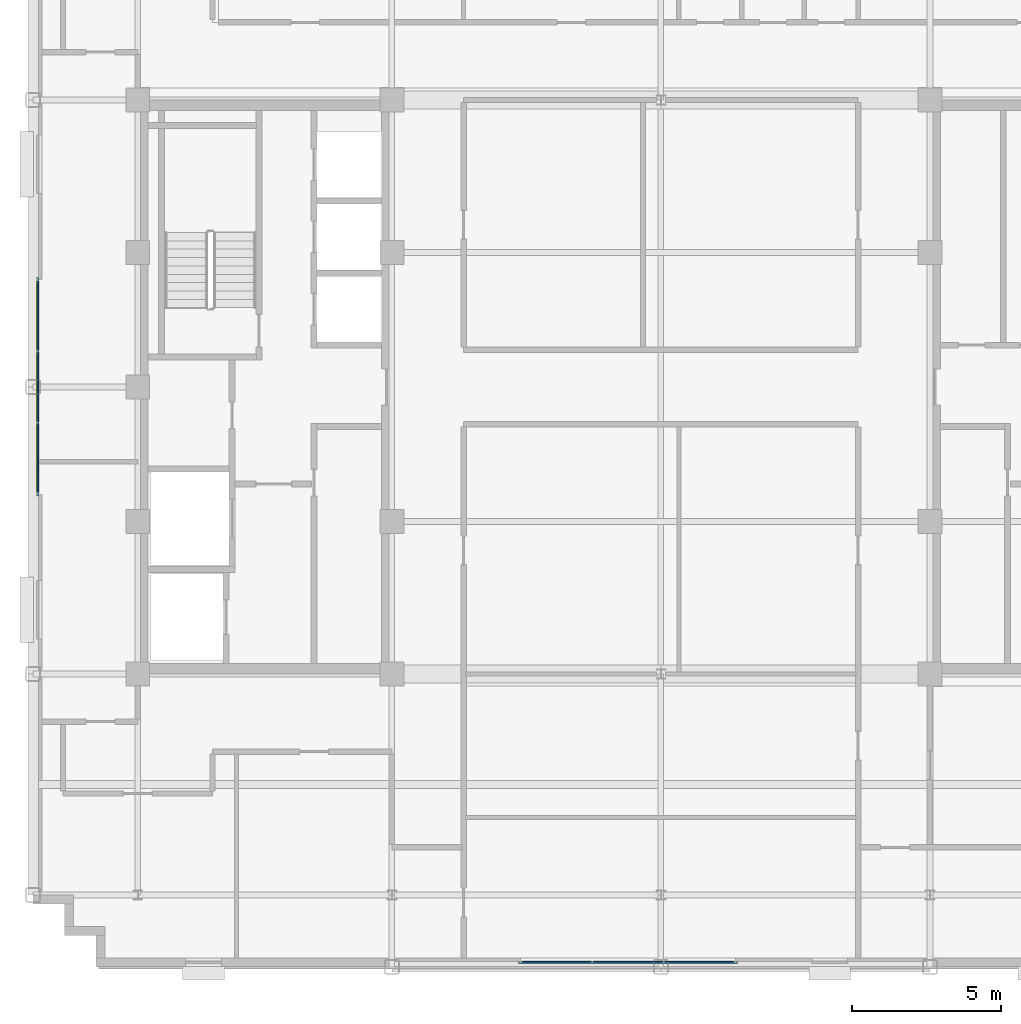
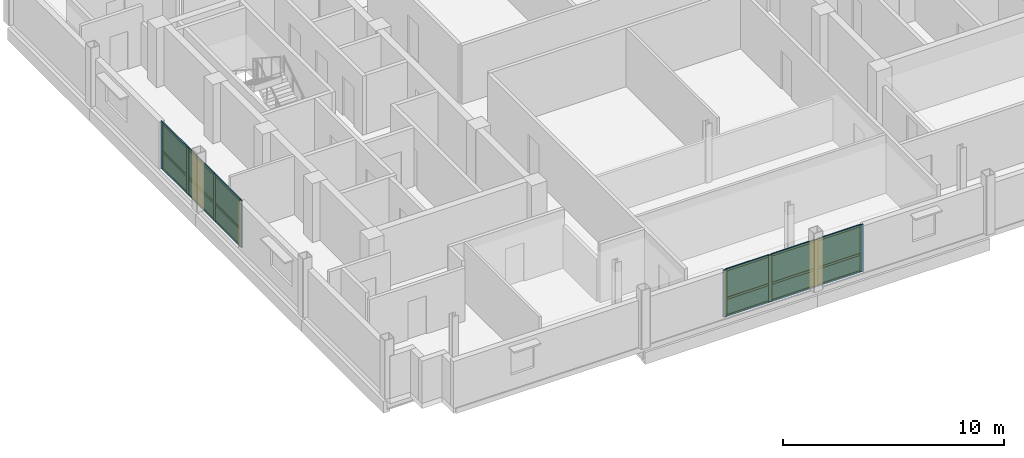
# One storey, part 10 of 16: 26 members, 12 plates, 2 curtain walls.
"""IFC4 building model written with IfcOpenShell, lengths in metres."""

from ifc_helpers import new_model, si_unit, direction, frame, frame_2d, origin, origin_2d, place, context, subcontext, project, spatial, rectangle, extrude, source, transform, mapped, material, layer, layer_set, material_profile, profile_set, type_object, type_shapes, element, aggregate, save


model = new_model("IFC4")

# Units and contexts
model_context = context("Model", 3, precision=1e-05, world=origin(), true_north=direction((0.0, 1.0)))
body_context = subcontext(model_context, "Body", "Model", "MODEL_VIEW")
ifc_project = project(units=[si_unit("LENGTHUNIT", "METRE"), si_unit("AREAUNIT", "SQUARE_METRE"), si_unit("VOLUMEUNIT", "CUBIC_METRE"), si_unit("PLANEANGLEUNIT", "RADIAN"), si_unit("MASSUNIT", "GRAM", prefix="KILO")], contexts=[model_context])

# Member
ifc_material_1 = material(Name="Anodised aluminium 6063-T6", Category="aluminium")
ifc_material_profile_1 = material_profile(ifc_material_1, rectangle(XDim=0.070068359375, YDim=0.179931640625, at=origin_2d()), Name="ALU-MULL-70x180")
ifc_profile_set_1 = profile_set([ifc_material_profile_1], Name="Anodised aluminium 6063-T6")
member_type_1 = type_object("IfcMemberType", Name="CWM-5", PredefinedType="MULLION", material=ifc_profile_set_1)
site_placement = place(None, origin())
building_placement = place(site_placement, origin())
storey_placement = place(building_placement, frame((0.0, 0.0, 249.300048828125)))
member_1_placement = place(storey_placement, frame((-4.6650390625, -19.25, 0.0), z_axis=(0.0, 0.0, 1.0), x_axis=(0.0, 1.0, 0.0)))
member_1 = element("IfcMember", 1, at=member_1_placement, type_object=member_type_1, Name="CWS-5 mullion 1", PredefinedType="MULLION", context=body_context, shape_type="SweptSolid", body=[
    extrude(rectangle(XDim=0.070068359375, YDim=0.179931640625, at=origin_2d()), origin(), (0.0, 0.0, 1.0), 2.5849609375),
])

member_2_placement = place(storey_placement, frame((-2.300048828125, -19.25, 0.0), z_axis=(0.0, 0.0, 1.0), x_axis=(0.0, 1.0, 0.0)))
member_2 = element("IfcMember", 2, at=member_2_placement, type_object=member_type_1, Name="CWS-5 mullion 2", PredefinedType="MULLION", context=body_context, shape_type="SweptSolid", body=[
    extrude(rectangle(XDim=0.070068359375, YDim=0.179931640625, at=origin_2d()), origin(), (0.0, 0.0, 1.0), 2.5849609375),
])

member_3_placement = place(storey_placement, frame((0.10009765625, -19.25, 0.0), z_axis=(0.0, 0.0, 1.0), x_axis=(0.0, 1.0, 0.0)))
member_3 = element("IfcMember", 3, at=member_3_placement, type_object=member_type_1, Name="CWS-5 mullion 3", PredefinedType="MULLION", context=body_context, shape_type="SweptSolid", body=[
    extrude(rectangle(XDim=0.070068359375, YDim=0.179931640625, at=origin_2d()), origin(), (0.0, 0.0, 1.0), 2.5849609375),
])

member_4_placement = place(storey_placement, frame((2.465087890625, -19.25, 0.0), z_axis=(0.0, 0.0, 1.0), x_axis=(0.0, 1.0, 0.0)))
member_4 = element("IfcMember", 4, at=member_4_placement, type_object=member_type_1, Name="CWS-5 mullion 4", PredefinedType="MULLION", context=body_context, shape_type="SweptSolid", body=[
    extrude(rectangle(XDim=0.070068359375, YDim=0.179931640625, at=origin_2d()), origin(), (0.0, 0.0, 1.0), 2.5849609375),
])

member_5_placement = place(storey_placement, frame((-20.85009765625, -3.56494140625, 0.0), z_axis=(0.0, 0.0, 1.0), x_axis=(-1.0, 0.0, 0.0)))
member_5 = element("IfcMember", 5, at=member_5_placement, type_object=member_type_1, Name="CWS-5 mullion 1", PredefinedType="MULLION", context=body_context, shape_type="SweptSolid", body=[
    extrude(rectangle(XDim=0.070068359375, YDim=0.179931640625, at=origin_2d()), origin(), (0.0, 0.0, 1.0), 2.5849609375),
])

member_6_placement = place(storey_placement, frame((-20.85009765625, -1.199951171875, 0.0), z_axis=(0.0, 0.0, 1.0), x_axis=(-1.0, 0.0, 0.0)))
member_6 = element("IfcMember", 6, at=member_6_placement, type_object=member_type_1, Name="CWS-5 mullion 2", PredefinedType="MULLION", context=body_context, shape_type="SweptSolid", body=[
    extrude(rectangle(XDim=0.070068359375, YDim=0.179931640625, at=origin_2d()), origin(), (0.0, 0.0, 1.0), 2.5849609375),
])

member_7_placement = place(storey_placement, frame((-20.85009765625, 1.199951171875, 0.0), z_axis=(0.0, 0.0, 1.0), x_axis=(-1.0, 0.0, 0.0)))
member_7 = element("IfcMember", 7, at=member_7_placement, type_object=member_type_1, Name="CWS-5 mullion 3", PredefinedType="MULLION", context=body_context, shape_type="SweptSolid", body=[
    extrude(rectangle(XDim=0.070068359375, YDim=0.179931640625, at=origin_2d()), origin(), (0.0, 0.0, 1.0), 2.5849609375),
])

member_8_placement = place(storey_placement, frame((-20.85009765625, 3.56494140625, 0.0), z_axis=(0.0, 0.0, 1.0), x_axis=(-1.0, 0.0, 0.0)))
member_8 = element("IfcMember", 8, at=member_8_placement, type_object=member_type_1, Name="CWS-5 mullion 4", PredefinedType="MULLION", context=body_context, shape_type="SweptSolid", body=[
    extrude(rectangle(XDim=0.070068359375, YDim=0.179931640625, at=origin_2d()), origin(), (0.0, 0.0, 1.0), 2.5849609375),
])

ifc_material_profile_2 = material_profile(ifc_material_1, rectangle(XDim=0.06005859375, YDim=0.1201171875, at=origin_2d()), Name="ALU-TRAN-60x120")
ifc_profile_set_2 = profile_set([ifc_material_profile_2], Name="Anodised aluminium 6063-T6")
member_type_2 = type_object("IfcMemberType", Name="CWT-5", PredefinedType="USERDEFINED", material=ifc_profile_set_2)
member_9_placement = place(storey_placement, frame((-4.6298828125, -19.25, 0.030029296875), z_axis=(1.0, 0.0, 0.0), x_axis=(0.0, 1.0, 0.0)))
member_9 = element("IfcMember", 9, at=member_9_placement, type_object=member_type_2, Name="CWS-5 transom 1.1", ObjectType="TRANSOM", PredefinedType="USERDEFINED", context=body_context, shape_type="SweptSolid", body=[
    extrude(rectangle(XDim=0.06005859375, YDim=0.1201171875, at=origin_2d()), origin(), (0.0, 0.0, 1.0), 2.294921875),
])

member_10_placement = place(storey_placement, frame((-4.6298828125, -19.25, 0.982177734375), z_axis=(1.0, 0.0, 0.0), x_axis=(0.0, 1.0, 0.0)))
member_10 = element("IfcMember", 10, at=member_10_placement, type_object=member_type_2, Name="CWS-5 transom 1.2", ObjectType="TRANSOM", PredefinedType="USERDEFINED", context=body_context, shape_type="SweptSolid", body=[
    extrude(rectangle(XDim=0.06005859375, YDim=0.1201171875, at=origin_2d()), origin(), (0.0, 0.0, 1.0), 2.294921875),
])

member_11_placement = place(storey_placement, frame((-4.6298828125, -19.25, 2.554931640625), z_axis=(1.0, 0.0, 0.0), x_axis=(0.0, 1.0, 0.0)))
member_11 = element("IfcMember", 11, at=member_11_placement, type_object=member_type_2, Name="CWS-5 transom 1.3", ObjectType="TRANSOM", PredefinedType="USERDEFINED", context=body_context, shape_type="SweptSolid", body=[
    extrude(rectangle(XDim=0.06005859375, YDim=0.1201171875, at=origin_2d()), origin(), (0.0, 0.0, 1.0), 2.294921875),
])

member_12_placement = place(storey_placement, frame((-2.264892578125, -19.25, 0.030029296875), z_axis=(1.0, 0.0, 0.0), x_axis=(0.0, 1.0, 0.0)))
member_12 = element("IfcMember", 12, at=member_12_placement, type_object=member_type_2, Name="CWS-5 transom 2.1", ObjectType="TRANSOM", PredefinedType="USERDEFINED", context=body_context, shape_type="SweptSolid", body=[
    extrude(rectangle(XDim=0.06005859375, YDim=0.1201171875, at=origin_2d()), origin(), (0.0, 0.0, 1.0), 2.329833984375),
])

member_13_placement = place(storey_placement, frame((-2.264892578125, -19.25, 0.982177734375), z_axis=(1.0, 0.0, 0.0), x_axis=(0.0, 1.0, 0.0)))
member_13 = element("IfcMember", 13, at=member_13_placement, type_object=member_type_2, Name="CWS-5 transom 2.2", ObjectType="TRANSOM", PredefinedType="USERDEFINED", context=body_context, shape_type="SweptSolid", body=[
    extrude(rectangle(XDim=0.06005859375, YDim=0.1201171875, at=origin_2d()), origin(), (0.0, 0.0, 1.0), 2.329833984375),
])

member_14_placement = place(storey_placement, frame((-2.264892578125, -19.25, 2.554931640625), z_axis=(1.0, 0.0, 0.0), x_axis=(0.0, 1.0, 0.0)))
member_14 = element("IfcMember", 14, at=member_14_placement, type_object=member_type_2, Name="CWS-5 transom 2.3", ObjectType="TRANSOM", PredefinedType="USERDEFINED", context=body_context, shape_type="SweptSolid", body=[
    extrude(rectangle(XDim=0.06005859375, YDim=0.1201171875, at=origin_2d()), origin(), (0.0, 0.0, 1.0), 2.329833984375),
])

member_15_placement = place(storey_placement, frame((0.135009765625, -19.25, 0.030029296875), z_axis=(1.0, 0.0, 0.0), x_axis=(0.0, 1.0, 0.0)))
member_15 = element("IfcMember", 15, at=member_15_placement, type_object=member_type_2, Name="CWS-5 transom 3.1", ObjectType="TRANSOM", PredefinedType="USERDEFINED", context=body_context, shape_type="SweptSolid", body=[
    extrude(rectangle(XDim=0.06005859375, YDim=0.1201171875, at=origin_2d()), origin(), (0.0, 0.0, 1.0), 2.294921875),
])

member_16_placement = place(storey_placement, frame((0.135009765625, -19.25, 0.982177734375), z_axis=(1.0, 0.0, 0.0), x_axis=(0.0, 1.0, 0.0)))
member_16 = element("IfcMember", 16, at=member_16_placement, type_object=member_type_2, Name="CWS-5 transom 3.2", ObjectType="TRANSOM", PredefinedType="USERDEFINED", context=body_context, shape_type="SweptSolid", body=[
    extrude(rectangle(XDim=0.06005859375, YDim=0.1201171875, at=origin_2d()), origin(), (0.0, 0.0, 1.0), 2.294921875),
])

member_17_placement = place(storey_placement, frame((0.135009765625, -19.25, 2.554931640625), z_axis=(1.0, 0.0, 0.0), x_axis=(0.0, 1.0, 0.0)))
member_17 = element("IfcMember", 17, at=member_17_placement, type_object=member_type_2, Name="CWS-5 transom 3.3", ObjectType="TRANSOM", PredefinedType="USERDEFINED", context=body_context, shape_type="SweptSolid", body=[
    extrude(rectangle(XDim=0.06005859375, YDim=0.1201171875, at=origin_2d()), origin(), (0.0, 0.0, 1.0), 2.294921875),
])

member_18_placement = place(storey_placement, frame((-20.85009765625, -3.530029296875, 0.030029296875), z_axis=(0.0, 1.0, 0.0), x_axis=(-1.0, 0.0, 0.0)))
member_18 = element("IfcMember", 18, at=member_18_placement, type_object=member_type_2, Name="CWS-5 transom 1.1", ObjectType="TRANSOM", PredefinedType="USERDEFINED", context=body_context, shape_type="SweptSolid", body=[
    extrude(rectangle(XDim=0.06005859375, YDim=0.1201171875, at=origin_2d()), origin(), (0.0, 0.0, 1.0), 2.294921875),
])

member_19_placement = place(storey_placement, frame((-20.85009765625, -3.530029296875, 0.982177734375), z_axis=(0.0, 1.0, 0.0), x_axis=(-1.0, 0.0, 0.0)))
member_19 = element("IfcMember", 19, at=member_19_placement, type_object=member_type_2, Name="CWS-5 transom 1.2", ObjectType="TRANSOM", PredefinedType="USERDEFINED", context=body_context, shape_type="SweptSolid", body=[
    extrude(rectangle(XDim=0.06005859375, YDim=0.1201171875, at=origin_2d()), origin(), (0.0, 0.0, 1.0), 2.294921875),
])

member_20_placement = place(storey_placement, frame((-20.85009765625, -3.530029296875, 2.554931640625), z_axis=(0.0, 1.0, 0.0), x_axis=(-1.0, 0.0, 0.0)))
member_20 = element("IfcMember", 20, at=member_20_placement, type_object=member_type_2, Name="CWS-5 transom 1.3", ObjectType="TRANSOM", PredefinedType="USERDEFINED", context=body_context, shape_type="SweptSolid", body=[
    extrude(rectangle(XDim=0.06005859375, YDim=0.1201171875, at=origin_2d()), origin(), (0.0, 0.0, 1.0), 2.294921875),
])

member_21_placement = place(storey_placement, frame((-20.85009765625, -1.1650390625, 0.030029296875), z_axis=(0.0, 1.0, 0.0), x_axis=(-1.0, 0.0, 0.0)))
member_21 = element("IfcMember", 21, at=member_21_placement, type_object=member_type_2, Name="CWS-5 transom 2.1", ObjectType="TRANSOM", PredefinedType="USERDEFINED", context=body_context, shape_type="SweptSolid", body=[
    extrude(rectangle(XDim=0.06005859375, YDim=0.1201171875, at=origin_2d()), origin(), (0.0, 0.0, 1.0), 2.330078125),
])

member_22_placement = place(storey_placement, frame((-20.85009765625, -1.1650390625, 0.982177734375), z_axis=(0.0, 1.0, 0.0), x_axis=(-1.0, 0.0, 0.0)))
member_22 = element("IfcMember", 22, at=member_22_placement, type_object=member_type_2, Name="CWS-5 transom 2.2", ObjectType="TRANSOM", PredefinedType="USERDEFINED", context=body_context, shape_type="SweptSolid", body=[
    extrude(rectangle(XDim=0.06005859375, YDim=0.1201171875, at=origin_2d()), origin(), (0.0, 0.0, 1.0), 2.330078125),
])

member_23_placement = place(storey_placement, frame((-20.85009765625, -1.1650390625, 2.554931640625), z_axis=(0.0, 1.0, 0.0), x_axis=(-1.0, 0.0, 0.0)))
member_23 = element("IfcMember", 23, at=member_23_placement, type_object=member_type_2, Name="CWS-5 transom 2.3", ObjectType="TRANSOM", PredefinedType="USERDEFINED", context=body_context, shape_type="SweptSolid", body=[
    extrude(rectangle(XDim=0.06005859375, YDim=0.1201171875, at=origin_2d()), origin(), (0.0, 0.0, 1.0), 2.330078125),
])

member_24_placement = place(storey_placement, frame((-20.85009765625, 1.235107421875, 0.030029296875), z_axis=(0.0, 1.0, 0.0), x_axis=(-1.0, 0.0, 0.0)))
member_24 = element("IfcMember", 24, at=member_24_placement, type_object=member_type_2, Name="CWS-5 transom 3.1", ObjectType="TRANSOM", PredefinedType="USERDEFINED", context=body_context, shape_type="SweptSolid", body=[
    extrude(rectangle(XDim=0.06005859375, YDim=0.1201171875, at=origin_2d()), origin(), (0.0, 0.0, 1.0), 2.294921875),
])

member_25_placement = place(storey_placement, frame((-20.85009765625, 1.235107421875, 0.982177734375), z_axis=(0.0, 1.0, 0.0), x_axis=(-1.0, 0.0, 0.0)))
member_25 = element("IfcMember", 25, at=member_25_placement, type_object=member_type_2, Name="CWS-5 transom 3.2", ObjectType="TRANSOM", PredefinedType="USERDEFINED", context=body_context, shape_type="SweptSolid", body=[
    extrude(rectangle(XDim=0.06005859375, YDim=0.1201171875, at=origin_2d()), origin(), (0.0, 0.0, 1.0), 2.294921875),
])

member_26_placement = place(storey_placement, frame((-20.85009765625, 1.235107421875, 2.554931640625), z_axis=(0.0, 1.0, 0.0), x_axis=(-1.0, 0.0, 0.0)))
member_26 = element("IfcMember", 26, at=member_26_placement, type_object=member_type_2, Name="CWS-5 transom 3.3", ObjectType="TRANSOM", PredefinedType="USERDEFINED", context=body_context, shape_type="SweptSolid", body=[
    extrude(rectangle(XDim=0.06005859375, YDim=0.1201171875, at=origin_2d()), origin(), (0.0, 0.0, 1.0), 2.294921875),
])

# Plate
ifc_material_2 = material(Name="Insulated solar-control glass", Category="glass")
ifc_layer_1 = layer(ifc_material_2, 0.033935546875, Name="CWP-5")
ifc_layer_set_1 = layer_set([ifc_layer_1], Name="Insulated solar-control glass")
plate_type = type_object("IfcPlateType", Name="CWP-5", PredefinedType="CURTAIN_PANEL", material=ifc_layer_set_1)
shared_shape_1 = source(origin(), body_context, "Body", "SweptSolid", [
    extrude(rectangle(XDim=2.294921875, YDim=0.033935546875, at=origin_2d()), origin(), (0.0, 0.0, 1.0), 0.892333984375),
])
plate_1_placement = place(storey_placement, frame((-3.482421875, -19.25, 0.06005859375), z_axis=(0.0, 0.0, 1.0), x_axis=(1.0, 0.0, 0.0)))
plate_1 = element("IfcPlate", 27, at=plate_1_placement, type_object=plate_type, Name="CWS-5 panel 1.1", PredefinedType="CURTAIN_PANEL", context=body_context, shape_type="MappedRepresentation", body=[
    mapped(shared_shape_1, transform((0.0, 0.0, 0.0), scale=1.0)),
])

plate_2_placement = place(storey_placement, frame((1.282470703125, -19.25, 0.06005859375), z_axis=(0.0, 0.0, 1.0), x_axis=(1.0, 0.0, 0.0)))
plate_2 = element("IfcPlate", 28, at=plate_2_placement, type_object=plate_type, Name="CWS-5 panel 3.1", PredefinedType="CURTAIN_PANEL", context=body_context, shape_type="MappedRepresentation", body=[
    mapped(shared_shape_1, transform((0.0, 0.0, 0.0), scale=1.0)),
])

plate_3_placement = place(storey_placement, frame((-20.85009765625, -2.382568359375, 0.06005859375), z_axis=(0.0, 0.0, 1.0), x_axis=(0.0, 1.0, 0.0)))
plate_3 = element("IfcPlate", 29, at=plate_3_placement, type_object=plate_type, Name="CWS-5 panel 1.1", PredefinedType="CURTAIN_PANEL", context=body_context, shape_type="MappedRepresentation", body=[
    mapped(shared_shape_1, transform((0.0, 0.0, 0.0), scale=1.0)),
])

plate_4_placement = place(storey_placement, frame((-20.85009765625, 2.382568359375, 0.06005859375), z_axis=(0.0, 0.0, 1.0), x_axis=(0.0, 1.0, 0.0)))
plate_4 = element("IfcPlate", 30, at=plate_4_placement, type_object=plate_type, Name="CWS-5 panel 3.1", PredefinedType="CURTAIN_PANEL", context=body_context, shape_type="MappedRepresentation", body=[
    mapped(shared_shape_1, transform((0.0, 0.0, 0.0), scale=1.0)),
])

shared_shape_2 = source(origin(), body_context, "Body", "SweptSolid", [
    extrude(rectangle(XDim=2.294921875, YDim=0.033935546875, at=origin_2d()), origin(), (0.0, 0.0, 1.0), 1.5126953125),
])
plate_5_placement = place(storey_placement, frame((-3.482421875, -19.25, 1.01220703125), z_axis=(0.0, 0.0, 1.0), x_axis=(1.0, 0.0, 0.0)))
plate_5 = element("IfcPlate", 31, at=plate_5_placement, type_object=plate_type, Name="CWS-5 panel 1.2", PredefinedType="CURTAIN_PANEL", context=body_context, shape_type="MappedRepresentation", body=[
    mapped(shared_shape_2, transform((0.0, 0.0, 0.0), scale=1.0)),
])

plate_6_placement = place(storey_placement, frame((1.282470703125, -19.25, 1.01220703125), z_axis=(0.0, 0.0, 1.0), x_axis=(1.0, 0.0, 0.0)))
plate_6 = element("IfcPlate", 32, at=plate_6_placement, type_object=plate_type, Name="CWS-5 panel 3.2", PredefinedType="CURTAIN_PANEL", context=body_context, shape_type="MappedRepresentation", body=[
    mapped(shared_shape_2, transform((0.0, 0.0, 0.0), scale=1.0)),
])

plate_7_placement = place(storey_placement, frame((-20.85009765625, -2.382568359375, 1.01220703125), z_axis=(0.0, 0.0, 1.0), x_axis=(0.0, 1.0, 0.0)))
plate_7 = element("IfcPlate", 33, at=plate_7_placement, type_object=plate_type, Name="CWS-5 panel 1.2", PredefinedType="CURTAIN_PANEL", context=body_context, shape_type="MappedRepresentation", body=[
    mapped(shared_shape_2, transform((0.0, 0.0, 0.0), scale=1.0)),
])

plate_8_placement = place(storey_placement, frame((-20.85009765625, 2.382568359375, 1.01220703125), z_axis=(0.0, 0.0, 1.0), x_axis=(0.0, 1.0, 0.0)))
plate_8 = element("IfcPlate", 34, at=plate_8_placement, type_object=plate_type, Name="CWS-5 panel 3.2", PredefinedType="CURTAIN_PANEL", context=body_context, shape_type="MappedRepresentation", body=[
    mapped(shared_shape_2, transform((0.0, 0.0, 0.0), scale=1.0)),
])

shared_shape_3 = source(origin(), body_context, "Body", "SweptSolid", [
    extrude(rectangle(XDim=2.330078125, YDim=0.033935546875, at=origin_2d()), origin(), (0.0, 0.0, 1.0), 0.892333984375),
])
plate_9_placement = place(storey_placement, frame((-1.10009765625, -19.25, 0.06005859375), z_axis=(0.0, 0.0, 1.0), x_axis=(1.0, 0.0, 0.0)))
plate_9 = element("IfcPlate", 35, at=plate_9_placement, type_object=plate_type, Name="CWS-5 panel 2.1", PredefinedType="CURTAIN_PANEL", context=body_context, shape_type="MappedRepresentation", body=[
    mapped(shared_shape_3, transform((0.0, 0.0, 0.0), scale=1.0)),
])

plate_10_placement = place(storey_placement, frame((-20.85009765625, 0.0, 0.06005859375), z_axis=(0.0, 0.0, 1.0), x_axis=(0.0, 1.0, 0.0)))
plate_10 = element("IfcPlate", 36, at=plate_10_placement, type_object=plate_type, Name="CWS-5 panel 2.1", PredefinedType="CURTAIN_PANEL", context=body_context, shape_type="MappedRepresentation", body=[
    mapped(shared_shape_3, transform((0.0, 0.0, 0.0), scale=1.0)),
])

shared_shape_4 = source(origin(), body_context, "Body", "SweptSolid", [
    extrude(rectangle(XDim=2.330078125, YDim=0.033935546875, at=origin_2d()), origin(), (0.0, 0.0, 1.0), 1.5126953125),
])
type_shapes(plate_type, [shared_shape_1, shared_shape_2, shared_shape_3, shared_shape_4])
plate_11_placement = place(storey_placement, frame((-1.10009765625, -19.25, 1.01220703125), z_axis=(0.0, 0.0, 1.0), x_axis=(1.0, 0.0, 0.0)))
plate_11 = element("IfcPlate", 37, at=plate_11_placement, type_object=plate_type, Name="CWS-5 panel 2.2", PredefinedType="CURTAIN_PANEL", context=body_context, shape_type="MappedRepresentation", body=[
    mapped(shared_shape_4, transform((0.0, 0.0, 0.0), scale=1.0)),
])

plate_12_placement = place(storey_placement, frame((-20.85009765625, 0.0, 1.01220703125), z_axis=(0.0, 0.0, 1.0), x_axis=(0.0, 1.0, 0.0)))
plate_12 = element("IfcPlate", 38, at=plate_12_placement, type_object=plate_type, Name="CWS-5 panel 2.2", PredefinedType="CURTAIN_PANEL", context=body_context, shape_type="MappedRepresentation", body=[
    mapped(shared_shape_4, transform((0.0, 0.0, 0.0), scale=1.0)),
])

# Site, building, storey
site = spatial("IfcSite", under=ifc_project, at=site_placement, CompositionType="ELEMENT")
building = spatial("IfcBuilding", under=site, at=building_placement, Name="Nuvemarco Arch Tower", CompositionType="ELEMENT")
storey = spatial("IfcBuildingStorey", under=building, at=storey_placement, Name="L66", CompositionType="ELEMENT", Elevation=249.300048828125)

# Curtain wall
ifc_layer_2 = layer(ifc_material_2, 0.179931640625, Name="CW-SYS-5")
ifc_layer_set_2 = layer_set([ifc_layer_2], Name="Insulated solar-control glass")
curtain_wall_type = type_object("IfcCurtainWallType", Name="CW-SYS-5", PredefinedType="NOTDEFINED", material=ifc_layer_set_2)
curtain_wall_1_placement = place(storey_placement, frame((-4.699951171875, -19.25, 0.0), z_axis=(0.0, 0.0, 1.0), x_axis=(1.0, 0.0, 0.0)))
curtain_wall_1 = element("IfcCurtainWall", 39, at=curtain_wall_1_placement, inside=storey, type_object=curtain_wall_type, Name="L66 curtain wall CWS-5", PredefinedType="NOTDEFINED", context=body_context, shape_type="SweptSolid", body=[
    extrude(rectangle(XDim=7.199951171875, YDim=0.02001953125, at=frame_2d((3.60009765625, 0.0))), origin(), (0.0, 0.0, 1.0), 2.5849609375),
])

aggregate(curtain_wall_1, [member_1, member_2, member_3, member_4, member_9, member_10, member_11, plate_1, plate_5, member_12, member_13, member_14, plate_9, plate_11, member_15, member_16, member_17, plate_2, plate_6])

curtain_wall_2_placement = place(storey_placement, frame((-20.85009765625, -3.60009765625, 0.0), z_axis=(0.0, 0.0, 1.0), x_axis=(0.0, 1.0, 0.0)))
curtain_wall_2 = element("IfcCurtainWall", 40, at=curtain_wall_2_placement, inside=storey, type_object=curtain_wall_type, Name="L66 curtain wall CWS-5", PredefinedType="NOTDEFINED", context=body_context, shape_type="SweptSolid", body=[
    extrude(rectangle(XDim=7.2001953125, YDim=0.02001953125, at=frame_2d((3.60009765625, 0.0))), origin(), (0.0, 0.0, 1.0), 2.5849609375),
])

aggregate(curtain_wall_2, [member_5, member_6, member_7, member_8, member_18, member_19, member_20, plate_3, plate_7, member_21, member_22, member_23, plate_10, plate_12, member_24, member_25, member_26, plate_4, plate_8])

save(model, "model.ifc")
